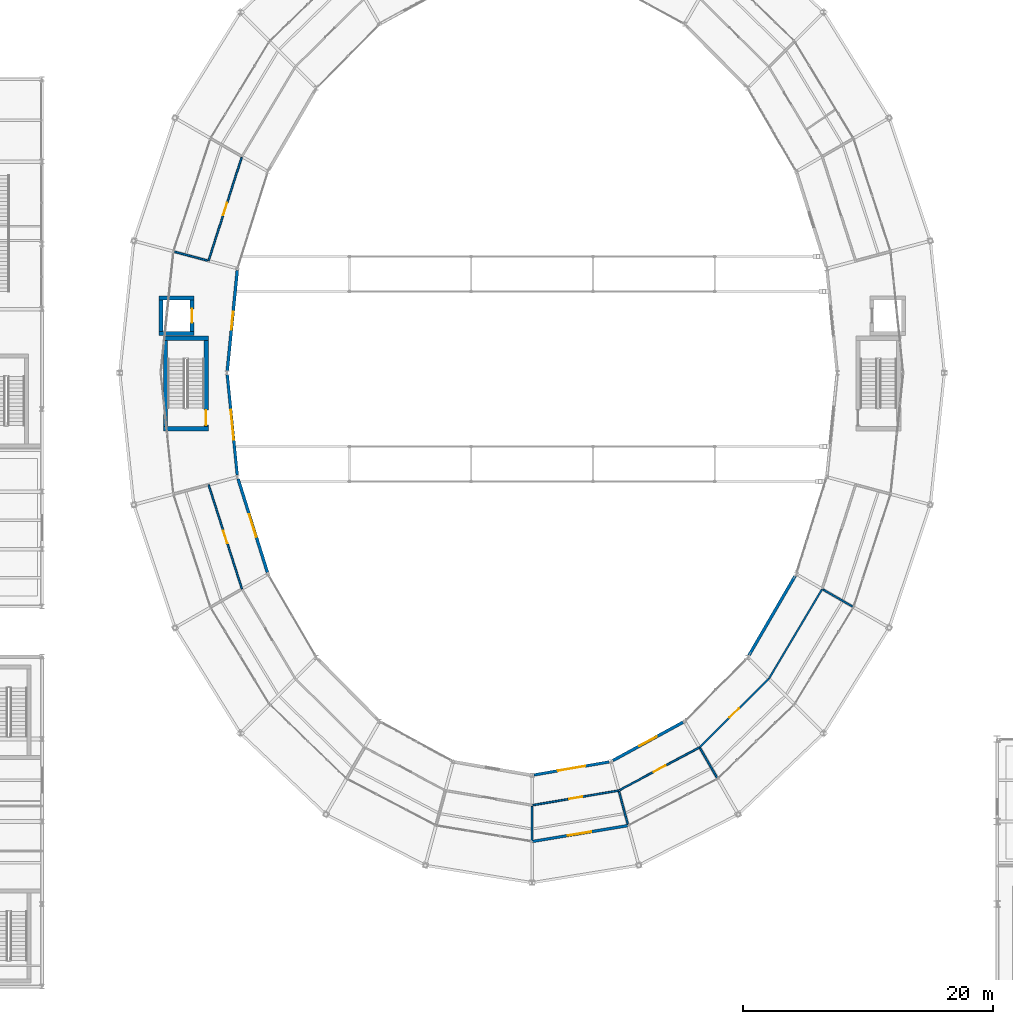
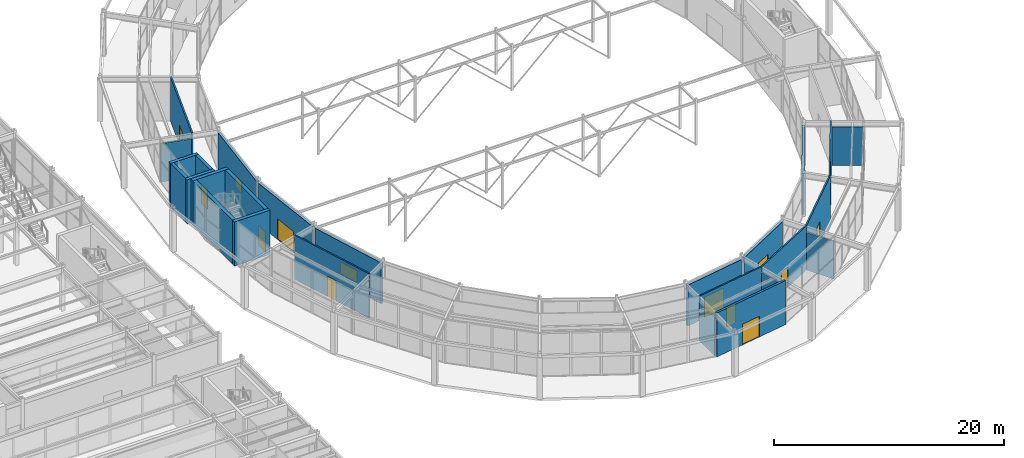
# One storey, part 123 of 144: 26 walls, 10 doors, 3 windows, 13 openings.
"""IFC4 building model written with IfcOpenShell, lengths in metres."""

from ifc_helpers import new_model, si_unit, direction, frame, frame_2d, origin, place, context, subcontext, project, spatial, rectangle, extrude, material, layer, layer_set, type_object, element, fill, save


model = new_model("IFC4")

# Units and contexts
model_context = context("Model", 3, precision=1e-05, world=origin(), true_north=direction((0.0, 1.0)))
body_context = subcontext(model_context, "Body", "Model", "MODEL_VIEW")
ifc_project = project(units=[si_unit("LENGTHUNIT", "METRE"), si_unit("AREAUNIT", "SQUARE_METRE"), si_unit("VOLUMEUNIT", "CUBIC_METRE"), si_unit("PLANEANGLEUNIT", "RADIAN"), si_unit("MASSUNIT", "GRAM", prefix="KILO")], contexts=[model_context])

# Site, building, storey
site_placement = place(None, origin())
site = spatial("IfcSite", under=ifc_project, at=site_placement, CompositionType="ELEMENT")
building_placement = place(site_placement, origin())
building = spatial("IfcBuilding", under=site, at=building_placement, Name="Karori Crest Natural Sciences Institute", CompositionType="ELEMENT")
storey_placement = place(building_placement, origin())
storey = spatial("IfcBuildingStorey", under=building, at=storey_placement, Name="L00", CompositionType="ELEMENT", Elevation=0.0)

# Walls
ifc_material_1 = material(Name="Concrete 50 MPa", Category="concrete")
ifc_layer_1 = layer(ifc_material_1, 0.35009765625, Name="Concrete 50 MPa")
ifc_layer_set_1 = layer_set([ifc_layer_1], Name="Concrete 50 MPa")
wall_type_1 = type_object("IfcWallType", Name="IWT-02", PredefinedType="SHEAR", material=ifc_layer_set_1)
for number, where, z_axis, x_axis, name in (
    (1, (36.89990234375, 45.425048828125, 0.0), (0.0, 0.0, 1.0), (1.0, 0.0, 0.0), "Shear wall IW-0041"),
    (2, (36.89990234375, 52.675048828125, 0.0), (0.0, 0.0, 1.0), (1.0, 0.0, 0.0), "Shear wall IW-0042"),
):
    element("IfcWall", number, at=place(storey_placement, frame(where, z_axis=z_axis, x_axis=x_axis)), inside=storey, type_object=wall_type_1, Name=name, PredefinedType="SHEAR", context=body_context, shape_type="SweptSolid", body=[
        extrude(rectangle(XDim=3.60009765625, YDim=0.35009765625, at=frame_2d((1.800048828125, 0.0))), origin(), (0.0, 0.0, 1.0), 4.699951171875),
    ])
wall_1_placement = place(storey_placement, frame((37.074951171875, 45.60205078125, 0.0), z_axis=(0.0, 0.0, 1.0), x_axis=(0.0, 1.0, 0.0)))
element("IfcWall", 3, at=wall_1_placement, inside=storey, type_object=wall_type_1, Name="Shear wall IW-0043", PredefinedType="SHEAR", context=body_context, shape_type="SweptSolid", body=[
    extrude(rectangle(XDim=6.89599609375, YDim=0.35009765625, at=frame_2d((3.447998046875, 0.0))), origin(), (0.0, 0.0, 1.0), 4.699951171875),
])

# Wall, opening, door
wall_2_placement = place(storey_placement, frame((40.324951171875, 45.60205078125, 0.0), z_axis=(0.0, 0.0, 1.0), x_axis=(0.0, 1.0, 0.0)))
wall_2 = element("IfcWall", 4, at=wall_2_placement, inside=storey, type_object=wall_type_1, Name="Shear wall IW-0044", PredefinedType="SHEAR", context=body_context, shape_type="SweptSolid", body=[
    extrude(rectangle(XDim=6.89599609375, YDim=0.35009765625, at=frame_2d((3.447998046875, 0.0))), origin(), (0.0, 0.0, 1.0), 4.699951171875),
])
opening_1_placement = place(wall_2_placement, frame((0.1201171875, 0.0, 0.0)))
opening_1 = element("IfcOpeningElement", 5, at=opening_1_placement, cuts=wall_2, Name="Opening ID-0011", PredefinedType="OPENING", context=body_context, shape_type="SweptSolid", body=[
    extrude(rectangle(XDim=1.199951171875, YDim=2.14990234375, at=frame_2d((0.60009765625, 1.074951171875))), frame((0.0, 0.18505859375, 0.0), z_axis=(0.0, -1.0, 0.0), x_axis=(1.0, 0.0, 0.0)), (0.0, 0.0, 1.0), 0.3701171875),
])
ifc_material_2 = material(Name="Stainless steel 316 and fire-rated timber", Category="steel")
door_type_1 = type_object("IfcDoorType", Name="IDT-01", OperationType="NOTDEFINED", PredefinedType="DOOR", material=ifc_material_2)
door_1_placement = place(opening_1_placement, origin())
door_1 = element("IfcDoor", 6, at=door_1_placement, inside=storey, type_object=door_type_1, Name="Stair ST-02 fire door ID-0011", OperationType="SINGLE_SWING_LEFT", OverallHeight=2.14990234375, OverallWidth=1.199951171875, PredefinedType="DOOR", context=body_context, shape_type="SweptSolid", body=[
    extrude(rectangle(XDim=1.199951171875, YDim=2.14990234375, at=frame_2d((0.60009765625, 1.074951171875))), frame((0.0, 0.02490234375, 0.0), z_axis=(0.0, -1.0, 0.0), x_axis=(1.0, 0.0, 0.0)), (0.0, 0.0, 1.0), 0.050048828125),
])
fill(opening_1, door_1)

# Walls
ifc_layer_2 = layer(ifc_material_1, 0.320068359375, Name="Concrete 50 MPa")
ifc_layer_set_2 = layer_set([ifc_layer_2], Name="Concrete 50 MPa")
wall_type_2 = type_object("IfcWallType", Name="IWT-03", PredefinedType="SHEAR", material=ifc_layer_set_2)
for number, where, z_axis, x_axis, name in (
    (7, (36.544921875, 53.030029296875, 0.0), (0.0, 0.0, 1.0), (1.0, 0.0, 0.0), "Shear wall IW-0441"),
    (8, (36.544921875, 55.89501953125, 0.0), (0.0, 0.0, 1.0), (1.0, 0.0, 0.0), "Shear wall IW-0442"),
):
    element("IfcWall", number, at=place(storey_placement, frame(where, z_axis=z_axis, x_axis=x_axis)), inside=storey, type_object=wall_type_2, Name=name, PredefinedType="SHEAR", context=body_context, shape_type="SweptSolid", body=[
        extrude(rectangle(XDim=2.81005859375, YDim=0.320068359375, at=frame_2d((1.405029296875, 0.0))), origin(), (0.0, 0.0, 1.0), 4.699951171875),
    ])
wall_3_placement = place(storey_placement, frame((36.705078125, 53.19189453125, 0.0), z_axis=(0.0, 0.0, 1.0), x_axis=(0.0, 1.0, 0.0)))
element("IfcWall", 9, at=wall_3_placement, inside=storey, type_object=wall_type_2, Name="Shear wall IW-0443", PredefinedType="SHEAR", context=body_context, shape_type="SweptSolid", body=[
    extrude(rectangle(XDim=2.541015625, YDim=0.320068359375, at=frame_2d((1.2705078125, 0.0))), origin(), (0.0, 0.0, 1.0), 4.699951171875),
])

# Wall, opening, door
wall_4_placement = place(storey_placement, frame((39.195068359375, 53.19189453125, 0.0), z_axis=(0.0, 0.0, 1.0), x_axis=(0.0, 1.0, 0.0)))
wall_4 = element("IfcWall", 10, at=wall_4_placement, inside=storey, type_object=wall_type_2, Name="Shear wall IW-0444", PredefinedType="SHEAR", context=body_context, shape_type="SweptSolid", body=[
    extrude(rectangle(XDim=2.541015625, YDim=0.320068359375, at=frame_2d((1.2705078125, 0.0))), origin(), (0.0, 0.0, 1.0), 4.699951171875),
])
opening_2_placement = place(wall_4_placement, frame((0.720458984375, 0.0, 0.0)))
opening_2 = element("IfcOpeningElement", 11, at=opening_2_placement, cuts=wall_4, Name="Opening LD-0035", PredefinedType="OPENING", context=body_context, shape_type="SweptSolid", body=[
    extrude(rectangle(XDim=1.10009765625, YDim=2.14990234375, at=frame_2d((0.550048828125, 1.074951171875))), frame((0.0, 0.169921875, 0.0), z_axis=(0.0, -1.0, 0.0), x_axis=(1.0, 0.0, 0.0)), (0.0, 0.0, 1.0), 0.340087890625),
])
door_type_2 = type_object("IfcDoorType", Name="LDT-01", OperationType="SLIDING_TO_LEFT", PredefinedType="DOOR", material=ifc_material_2)
door_2_placement = place(opening_2_placement, origin())
door_2 = element("IfcDoor", 12, at=door_2_placement, inside=storey, type_object=door_type_2, Name="Lift LP-02 landing door LD-0035", OperationType="SLIDING_TO_LEFT", OverallHeight=2.14990234375, OverallWidth=1.10009765625, PredefinedType="DOOR", context=body_context, shape_type="SweptSolid", body=[
    extrude(rectangle(XDim=1.10009765625, YDim=2.14990234375, at=frame_2d((0.550048828125, 1.074951171875))), frame((0.0, 0.02490234375, 0.0), z_axis=(0.0, -1.0, 0.0), x_axis=(1.0, 0.0, 0.0)), (0.0, 0.0, 1.0), 0.050048828125),
])
fill(opening_2, door_2)

ifc_material_3 = material(Name="Laboratory acoustic drywall partition")
ifc_layer_3 = layer(ifc_material_3, 0.139892578125, Name="Laboratory acoustic drywall partition")
ifc_layer_set_3 = layer_set([ifc_layer_3], Name="Laboratory acoustic drywall partition")
wall_type_3 = type_object("IfcWallType", Name="IWT-07", PredefinedType="PARTITIONING", material=ifc_layer_set_3)
wall_5_placement = place(storey_placement, frame((43.16796875, 67.1298828125, 0.0), z_axis=(0.0, 0.0, 1.0), x_axis=(-0.305487150125, -0.952196198852, 0.0)))
wall_5 = element("IfcWall", 13, at=wall_5_placement, inside=storey, type_object=wall_type_3, Name="Partition wall IW-1188", PredefinedType="PARTITIONING", context=body_context, shape_type="SweptSolid", body=[
    extrude(rectangle(XDim=8.6904296875, YDim=0.139892578125, at=frame_2d((4.34521484375, 0.0))), origin(), (0.0, 0.0, 1.0), 4.699951171875),
])
opening_3_placement = place(wall_5_placement, frame((3.820068359375, 0.0, 0.0)))
opening_3 = element("IfcOpeningElement", 14, at=opening_3_placement, cuts=wall_5, Name="Opening ID-0357", PredefinedType="OPENING", context=body_context, shape_type="SweptSolid", body=[
    extrude(rectangle(XDim=1.050048828125, YDim=2.14990234375, at=frame_2d((0.52490234375, 1.074951171875))), frame((0.0, 0.080078125, 0.0), z_axis=(0.0, -1.0, 0.0), x_axis=(1.0, 0.0, 0.0)), (0.0, 0.0, 1.0), 0.159912109375),
])
door_type_3 = type_object("IfcDoorType", Name="IDT-03", OperationType="NOTDEFINED", PredefinedType="DOOR", material=ifc_material_2)
door_3_placement = place(opening_3_placement, origin())
door_3 = element("IfcDoor", 15, at=door_3_placement, inside=storey, type_object=door_type_3, Name="Molecular Ecology Wet Laboratory door ID-0357", OperationType="SINGLE_SWING_LEFT", OverallHeight=2.14990234375, OverallWidth=1.050048828125, PredefinedType="DOOR", context=body_context, shape_type="SweptSolid", body=[
    extrude(rectangle(XDim=1.050048828125, YDim=2.14990234375, at=frame_2d((0.52490234375, 1.074951171875))), frame((0.0, 0.02490234375, 0.0), z_axis=(0.0, -1.0, 0.0), x_axis=(1.0, 0.0, 0.0)), (0.0, 0.0, 1.0), 0.050048828125),
])
fill(opening_3, door_3)

# Wall
wall_6_placement = place(storey_placement, frame((40.435791015625, 58.875732421875, 0.0), z_axis=(0.0, 0.0, 1.0), x_axis=(-0.965920014783, 0.258840732966, 0.0)))
element("IfcWall", 16, at=wall_6_placement, inside=storey, type_object=wall_type_3, Name="Partition wall IW-1189", PredefinedType="PARTITIONING", context=body_context, shape_type="SweptSolid", body=[
    extrude(rectangle(XDim=2.759765625, YDim=0.139892578125, at=frame_2d((1.3798828125, 0.0))), origin(), (0.0, 0.0, 1.0), 4.092041015625),
])

# Wall, opening, door
wall_7_placement = place(storey_placement, frame((40.51318359375, 40.94482421875, 0.0), z_axis=(0.0, 0.0, 1.0), x_axis=(0.305493323507, -0.952194218263, 0.0)))
wall_7 = element("IfcWall", 17, at=wall_7_placement, inside=storey, type_object=wall_type_3, Name="Partition wall IW-1190", PredefinedType="PARTITIONING", context=body_context, shape_type="SweptSolid", body=[
    extrude(rectangle(XDim=8.763671875, YDim=0.139892578125, at=frame_2d((4.3818359375, 0.0))), origin(), (0.0, 0.0, 1.0), 4.699951171875),
])
opening_4_placement = place(wall_7_placement, frame((3.85693359375, 0.0, 0.0)))
opening_4 = element("IfcOpeningElement", 18, at=opening_4_placement, cuts=wall_7, Name="Opening ID-0358", PredefinedType="OPENING", context=body_context, shape_type="SweptSolid", body=[
    extrude(rectangle(XDim=1.050048828125, YDim=2.14990234375, at=frame_2d((0.52490234375, 1.074951171875))), frame((0.0, 0.080078125, 0.0), z_axis=(0.0, -1.0, 0.0), x_axis=(1.0, 0.0, 0.0)), (0.0, 0.0, 1.0), 0.159912109375),
])
door_4_placement = place(opening_4_placement, origin())
door_4 = element("IfcDoor", 19, at=door_4_placement, inside=storey, type_object=door_type_3, Name="Atmospheric Physics Laboratory door ID-0358", OperationType="SINGLE_SWING_RIGHT", OverallHeight=2.14990234375, OverallWidth=1.050048828125, PredefinedType="DOOR", context=body_context, shape_type="SweptSolid", body=[
    extrude(rectangle(XDim=1.050048828125, YDim=2.14990234375, at=frame_2d((0.52490234375, 1.074951171875))), frame((0.0, 0.02490234375, 0.0), z_axis=(0.0, -1.0, 0.0), x_axis=(1.0, 0.0, 0.0)), (0.0, 0.0, 1.0), 0.050048828125),
])
fill(opening_4, door_4)

# Wall
wall_8_placement = place(storey_placement, frame((66.39990234375, 15.219970703125, 0.0), z_axis=(0.0, 0.0, 1.0), x_axis=(0.0, -1.0, 0.0)))
element("IfcWall", 20, at=wall_8_placement, inside=storey, type_object=wall_type_3, Name="Partition wall IW-1199", PredefinedType="PARTITIONING", context=body_context, shape_type="SweptSolid", body=[
    extrude(rectangle(XDim=2.760009765625, YDim=0.139892578125, at=frame_2d((1.3798828125, 0.0))), origin(), (0.0, 0.0, 1.0), 4.092041015625),
])

# Wall, opening, door
wall_9_placement = place(storey_placement, frame((66.471923828125, 15.312255859375, 0.0), z_axis=(0.0, 0.0, 1.0), x_axis=(0.985861002198, 0.167565164474, 0.0)))
wall_9 = element("IfcWall", 21, at=wall_9_placement, inside=storey, type_object=wall_type_3, Name="Partition wall IW-1200", PredefinedType="PARTITIONING", context=body_context, shape_type="SweptSolid", body=[
    extrude(rectangle(XDim=6.962890625, YDim=0.139892578125, at=frame_2d((3.4814453125, 0.0))), origin(), (0.0, 0.0, 1.0), 4.699951171875),
])
opening_5_placement = place(wall_9_placement, frame((2.956298828125, 0.0, 0.0)))
opening_5 = element("IfcOpeningElement", 22, at=opening_5_placement, cuts=wall_9, Name="Opening ID-0362", PredefinedType="OPENING", context=body_context, shape_type="SweptSolid", body=[
    extrude(rectangle(XDim=1.050048828125, YDim=2.14990234375, at=frame_2d((0.52490234375, 1.074951171875))), frame((0.0, 0.080078125, 0.0), z_axis=(0.0, -1.0, 0.0), x_axis=(1.0, 0.0, 0.0)), (0.0, 0.0, 1.0), 0.159912109375),
])
door_5_placement = place(opening_5_placement, origin())
door_5 = element("IfcDoor", 23, at=door_5_placement, inside=storey, type_object=door_type_3, Name="Paleoclimate Core Analysis Laboratory door ID-0362", OperationType="SINGLE_SWING_RIGHT", OverallHeight=2.14990234375, OverallWidth=1.050048828125, PredefinedType="DOOR", context=body_context, shape_type="SweptSolid", body=[
    extrude(rectangle(XDim=1.050048828125, YDim=2.14990234375, at=frame_2d((0.52490234375, 1.074951171875))), frame((0.0, 0.02490234375, 0.0), z_axis=(0.0, -1.0, 0.0), x_axis=(1.0, 0.0, 0.0)), (0.0, 0.0, 1.0), 0.050048828125),
])
fill(opening_5, door_5)

# Wall
wall_10_placement = place(storey_placement, frame((73.357177734375, 16.401611328125, 0.0), z_axis=(0.0, 0.0, 1.0), x_axis=(0.25881872536, -0.965925911964, 0.0)))
element("IfcWall", 24, at=wall_10_placement, inside=storey, type_object=wall_type_3, Name="Partition wall IW-1201", PredefinedType="PARTITIONING", context=body_context, shape_type="SweptSolid", body=[
    extrude(rectangle(XDim=2.707275390625, YDim=0.139892578125, at=frame_2d((1.353515625, 0.0))), origin(), (0.0, 0.0, 1.0), 4.092041015625),
])

# Wall, opening, door
wall_11_placement = place(storey_placement, frame((73.401611328125, 16.513916015625, 0.0), z_axis=(0.0, 0.0, 1.0), x_axis=(0.881829873621, 0.471567676999, 0.0)))
wall_11 = element("IfcWall", 25, at=wall_11_placement, inside=storey, type_object=wall_type_3, Name="Partition wall IW-1202", PredefinedType="PARTITIONING", context=body_context, shape_type="SweptSolid", body=[
    extrude(rectangle(XDim=7.255859375, YDim=0.139892578125, at=frame_2d((3.6279296875, 0.0))), origin(), (0.0, 0.0, 1.0), 4.699951171875),
])
opening_6_placement = place(wall_11_placement, frame((3.10302734375, 0.0, 0.0)))
opening_6 = element("IfcOpeningElement", 26, at=opening_6_placement, cuts=wall_11, Name="Opening ID-0363", PredefinedType="OPENING", context=body_context, shape_type="SweptSolid", body=[
    extrude(rectangle(XDim=1.050048828125, YDim=2.14990234375, at=frame_2d((0.52490234375, 1.074951171875))), frame((0.0, 0.080078125, 0.0), z_axis=(0.0, -1.0, 0.0), x_axis=(1.0, 0.0, 0.0)), (0.0, 0.0, 1.0), 0.159912109375),
])
door_6_placement = place(opening_6_placement, origin())
door_6 = element("IfcDoor", 27, at=door_6_placement, inside=storey, type_object=door_type_3, Name="Dry Optics Physics Laboratory door ID-0363", OperationType="SINGLE_SWING_LEFT", OverallHeight=2.14990234375, OverallWidth=1.050048828125, PredefinedType="DOOR", context=body_context, shape_type="SweptSolid", body=[
    extrude(rectangle(XDim=1.050048828125, YDim=2.14990234375, at=frame_2d((0.52490234375, 1.074951171875))), frame((0.0, 0.02490234375, 0.0), z_axis=(0.0, -1.0, 0.0), x_axis=(1.0, 0.0, 0.0)), (0.0, 0.0, 1.0), 0.050048828125),
])
fill(opening_6, door_6)

# Wall
wall_12_placement = place(storey_placement, frame((79.840087890625, 19.8662109375, 0.0), z_axis=(0.0, 0.0, 1.0), x_axis=(0.499982807329, -0.86603532975, 0.0)))
element("IfcWall", 28, at=wall_12_placement, inside=storey, type_object=wall_type_3, Name="Partition wall IW-1203", PredefinedType="PARTITIONING", context=body_context, shape_type="SweptSolid", body=[
    extrude(rectangle(XDim=2.759765625, YDim=0.139892578125, at=frame_2d((1.3798828125, 0.0))), origin(), (0.0, 0.0, 1.0), 4.012939453125),
])

# Wall, opening, door
wall_13_placement = place(storey_placement, frame((79.801513671875, 19.93701171875, 0.0), z_axis=(0.0, 0.0, 1.0), x_axis=(0.710427757183, 0.703770134222, 0.0)))
wall_13 = element("IfcWall", 29, at=wall_13_placement, inside=storey, type_object=wall_type_3, Name="Partition wall IW-1204", PredefinedType="PARTITIONING", context=body_context, shape_type="SweptSolid", body=[
    extrude(rectangle(XDim=7.810791015625, YDim=0.139892578125, at=frame_2d((3.9052734375, 0.0))), origin(), (0.0, 0.0, 1.0), 4.699951171875),
])
opening_7_placement = place(wall_13_placement, frame((3.380615234375, 0.0, 0.0)))
opening_7 = element("IfcOpeningElement", 30, at=opening_7_placement, cuts=wall_13, Name="Opening ID-0364", PredefinedType="OPENING", context=body_context, shape_type="SweptSolid", body=[
    extrude(rectangle(XDim=1.050048828125, YDim=2.14990234375, at=frame_2d((0.52490234375, 1.074951171875))), frame((0.0, 0.080078125, 0.0), z_axis=(0.0, -1.0, 0.0), x_axis=(1.0, 0.0, 0.0)), (0.0, 0.0, 1.0), 0.159912109375),
])
door_7_placement = place(opening_7_placement, origin())
door_7 = element("IfcDoor", 31, at=door_7_placement, inside=storey, type_object=door_type_3, Name="Marine Ecology Dry Laboratory door ID-0364", OperationType="SINGLE_SWING_RIGHT", OverallHeight=2.14990234375, OverallWidth=1.050048828125, PredefinedType="DOOR", context=body_context, shape_type="SweptSolid", body=[
    extrude(rectangle(XDim=1.050048828125, YDim=2.14990234375, at=frame_2d((0.52490234375, 1.074951171875))), frame((0.0, 0.02490234375, 0.0), z_axis=(0.0, -1.0, 0.0), x_axis=(1.0, 0.0, 0.0)), (0.0, 0.0, 1.0), 0.050048828125),
])
fill(opening_7, door_7)

# Walls
wall_14_placement = place(storey_placement, frame((85.3515625, 25.435791015625, 0.0), z_axis=(0.0, 0.0, 1.0), x_axis=(0.510915698067, 0.859630821614, 0.0)))
element("IfcWall", 32, at=wall_14_placement, inside=storey, type_object=wall_type_3, Name="Partition wall IW-1205", PredefinedType="PARTITIONING", context=body_context, shape_type="SweptSolid", body=[
    extrude(rectangle(XDim=8.334228515625, YDim=0.139892578125, at=frame_2d((4.1669921875, 0.0))), origin(), (0.0, 0.0, 1.0), 4.699951171875),
])
wall_15_placement = place(storey_placement, frame((89.6787109375, 32.56005859375, 0.0), z_axis=(0.0, 0.0, 1.0), x_axis=(0.866019141083, -0.50001084716, 0.0)))
element("IfcWall", 33, at=wall_15_placement, inside=storey, type_object=wall_type_3, Name="Partition wall IW-1206", PredefinedType="PARTITIONING", context=body_context, shape_type="SweptSolid", body=[
    extrude(rectangle(XDim=2.76025390625, YDim=0.139892578125, at=frame_2d((1.380126953125, 0.0))), origin(), (0.0, 0.0, 1.0), 4.092041015625),
])

# Wall, opening, window
ifc_material_4 = material(Name="Precast concrete 40 MPa", Category="concrete")
ifc_layer_4 = layer(ifc_material_4, 0.239990234375, Name="Precast concrete 40 MPa")
ifc_layer_set_4 = layer_set([ifc_layer_4], Name="Precast concrete 40 MPa")
wall_type_4 = type_object("IfcWallType", Name="WT-04", PredefinedType="SOLIDWALL", material=ifc_layer_set_4)
wall_16_placement = place(storey_placement, frame((42.818115234375, 58.10009765625, 0.0), z_axis=(0.0, 0.0, 1.0), x_axis=(-0.099291432912, -0.99505839595, 0.0)))
wall_16 = element("IfcWall", 34, at=wall_16_placement, inside=storey, type_object=wall_type_4, Name="Exterior wall EW-0027", PredefinedType="SOLIDWALL", context=body_context, shape_type="SweptSolid", body=[
    extrude(rectangle(XDim=8.084716796875, YDim=0.239990234375, at=frame_2d((4.04248046875, 0.0))), origin(), (0.0, 0.0, 1.0), 4.35009765625),
])
opening_8_placement = place(wall_16_placement, frame((3.3173828125, 0.0, 0.85009765625)))
opening_8 = element("IfcOpeningElement", 35, at=opening_8_placement, cuts=wall_16, Name="Opening WN-0004", PredefinedType="OPENING", context=body_context, shape_type="SweptSolid", body=[
    extrude(rectangle(XDim=1.449951171875, YDim=1.25, at=frame_2d((0.72509765625, 0.625))), frame((0.0, 0.1298828125, 0.0), z_axis=(0.0, -1.0, 0.0), x_axis=(1.0, 0.0, 0.0)), (0.0, 0.0, 1.0), 0.260009765625),
])
ifc_material_5 = material(Name="Double low-E laminated glass", Category="glass")
window_type_1 = type_object("IfcWindowType", Name="WNT-12", PartitioningType="SINGLE_PANEL", PredefinedType="WINDOW", material=ifc_material_5)
window_1_placement = place(opening_8_placement, origin())
window_1 = element("IfcWindow", 36, at=window_1_placement, inside=storey, type_object=window_type_1, Name="Window WN-0004", OverallHeight=1.25, OverallWidth=1.449951171875, PartitioningType="SINGLE_PANEL", PredefinedType="WINDOW", context=body_context, shape_type="SweptSolid", body=[
    extrude(rectangle(XDim=1.449951171875, YDim=1.25, at=frame_2d((0.72509765625, 0.625))), frame((0.0, 0.030029296875, 0.0), z_axis=(0.0, -1.0, 0.0), x_axis=(1.0, 0.0, 0.0)), (0.0, 0.0, 1.0), 0.06005859375),
])
fill(opening_8, window_1)

wall_17_placement = place(storey_placement, frame((42.879150390625, 41.413818359375, 0.0), z_axis=(0.0, 0.0, 1.0), x_axis=(0.299477830639, -0.954103259064, 0.0)))
wall_17 = element("IfcWall", 37, at=wall_17_placement, inside=storey, type_object=wall_type_4, Name="Exterior wall EW-0029", PredefinedType="SOLIDWALL", context=body_context, shape_type="SweptSolid", body=[
    extrude(rectangle(XDim=7.845703125, YDim=0.239990234375, at=frame_2d((3.9228515625, 0.0))), origin(), (0.0, 0.0, 1.0), 4.35009765625),
])
opening_9_placement = place(wall_17_placement, frame((2.972900390625, 0.0, 0.85009765625)))
opening_9 = element("IfcOpeningElement", 38, at=opening_9_placement, cuts=wall_17, Name="Opening WN-0005", PredefinedType="OPENING", context=body_context, shape_type="SweptSolid", body=[
    extrude(rectangle(XDim=1.89990234375, YDim=1.25, at=frame_2d((0.949951171875, 0.625))), frame((0.0, 0.1298828125, 0.0), z_axis=(0.0, -1.0, 0.0), x_axis=(1.0, 0.0, 0.0)), (0.0, 0.0, 1.0), 0.260009765625),
])
window_type_2 = type_object("IfcWindowType", Name="WNT-14", PartitioningType="SINGLE_PANEL", PredefinedType="WINDOW", material=ifc_material_5)
window_2_placement = place(opening_9_placement, origin())
window_2 = element("IfcWindow", 39, at=window_2_placement, inside=storey, type_object=window_type_2, Name="Window WN-0005", OverallHeight=1.25, OverallWidth=1.89990234375, PartitioningType="SINGLE_PANEL", PredefinedType="WINDOW", context=body_context, shape_type="SweptSolid", body=[
    extrude(rectangle(XDim=1.89990234375, YDim=1.25, at=frame_2d((0.949951171875, 0.625))), frame((0.0, 0.030029296875, 0.0), z_axis=(0.0, -1.0, 0.0), x_axis=(1.0, 0.0, 0.0)), (0.0, 0.0, 1.0), 0.06005859375),
])
fill(opening_9, window_2)

wall_18_placement = place(storey_placement, frame((72.865966796875, 18.879638671875, 0.0), z_axis=(0.0, 0.0, 1.0), x_axis=(0.877463709328, 0.479643032695, 0.0)))
wall_18 = element("IfcWall", 40, at=wall_18_placement, inside=storey, type_object=wall_type_4, Name="Exterior wall EW-0034", PredefinedType="SOLIDWALL", context=body_context, shape_type="SweptSolid", body=[
    extrude(rectangle(XDim=6.400146484375, YDim=0.239990234375, at=frame_2d((3.2001953125, 0.0))), origin(), (0.0, 0.0, 1.0), 4.35009765625),
])
opening_10_placement = place(wall_18_placement, frame((2.400146484375, 0.0, 0.85009765625)))
opening_10 = element("IfcOpeningElement", 41, at=opening_10_placement, cuts=wall_18, Name="Opening WN-0007", PredefinedType="OPENING", context=body_context, shape_type="SweptSolid", body=[
    extrude(rectangle(XDim=1.60009765625, YDim=1.5, at=frame_2d((0.800048828125, 0.75))), frame((0.0, 0.1298828125, 0.0), z_axis=(0.0, -1.0, 0.0), x_axis=(1.0, 0.0, 0.0)), (0.0, 0.0, 1.0), 0.260009765625),
])
window_type_3 = type_object("IfcWindowType", Name="WNT-20", PartitioningType="SINGLE_PANEL", PredefinedType="WINDOW", material=ifc_material_5)
window_3_placement = place(opening_10_placement, origin())
window_3 = element("IfcWindow", 42, at=window_3_placement, inside=storey, type_object=window_type_3, Name="Window WN-0007", OverallHeight=1.5, OverallWidth=1.60009765625, PartitioningType="SINGLE_PANEL", PredefinedType="WINDOW", context=body_context, shape_type="SweptSolid", body=[
    extrude(rectangle(XDim=1.60009765625, YDim=1.5, at=frame_2d((0.800048828125, 0.75))), frame((0.0, 0.030029296875, 0.0), z_axis=(0.0, -1.0, 0.0), x_axis=(1.0, 0.0, 0.0)), (0.0, 0.0, 1.0), 0.06005859375),
])
fill(opening_10, window_3)

# Wall
wall_19_placement = place(storey_placement, frame((83.743896484375, 27.287109375, 0.0), z_axis=(0.0, 0.0, 1.0), x_axis=(0.50266774775, 0.864479690549, 0.0)))
element("IfcWall", 43, at=wall_19_placement, inside=storey, type_object=wall_type_4, Name="Exterior wall EW-0035", PredefinedType="SOLIDWALL", context=body_context, shape_type="SweptSolid", body=[
    extrude(rectangle(XDim=7.357666015625, YDim=0.239990234375, at=frame_2d((3.6787109375, 0.0))), origin(), (0.0, 0.0, 1.0), 4.35009765625),
])

# Wall, opening, door
ifc_layer_5 = layer(ifc_material_4, 0.219970703125, Name="Precast concrete 40 MPa")
ifc_layer_set_5 = layer_set([ifc_layer_5], Name="Precast concrete 40 MPa")
wall_type_5 = type_object("IfcWallType", Name="WT-05", PredefinedType="SOLIDWALL", material=ifc_layer_set_5)
wall_20_placement = place(storey_placement, frame((42.015380859375, 49.744384765625, 0.0), z_axis=(0.0, 0.0, 1.0), x_axis=(0.099275964263, -0.99505993936, 0.0)))
wall_20 = element("IfcWall", 44, at=wall_20_placement, inside=storey, type_object=wall_type_5, Name="Exterior wall EW-0028", PredefinedType="SOLIDWALL", context=body_context, shape_type="SweptSolid", body=[
    extrude(rectangle(XDim=8.066162109375, YDim=0.219970703125, at=frame_2d((4.033203125, 0.0))), origin(), (0.0, 0.0, 1.0), 4.35009765625),
])
opening_11_placement = place(wall_20_placement, frame((2.833251953125, 0.0, 0.0)))
opening_11 = element("IfcOpeningElement", 45, at=opening_11_placement, cuts=wall_20, Name="Opening ED-0004", PredefinedType="OPENING", context=body_context, shape_type="SweptSolid", body=[
    extrude(rectangle(XDim=2.39990234375, YDim=2.199951171875, at=frame_2d((1.199951171875, 1.10009765625))), frame((0.0, 0.1201171875, 0.0), z_axis=(0.0, -1.0, 0.0), x_axis=(1.0, 0.0, 0.0)), (0.0, 0.0, 1.0), 0.239990234375),
])
ifc_material_6 = material(Name="Anodised architectural aluminium 6063-T6", Category="aluminium")
door_type_4 = type_object("IfcDoorType", Name="EDT-07", OperationType="DOUBLE_DOOR_SINGLE_SWING", PredefinedType="GATE", material=ifc_material_6)
door_8_placement = place(opening_11_placement, origin())
door_8 = element("IfcDoor", 46, at=door_8_placement, inside=storey, type_object=door_type_4, Name="Courtyard security gate ED-0004", OperationType="DOUBLE_DOOR_SINGLE_SWING", OverallHeight=2.199951171875, OverallWidth=2.39990234375, PredefinedType="GATE", context=body_context, shape_type="SweptSolid", body=[
    extrude(rectangle(XDim=2.39990234375, YDim=2.199951171875, at=frame_2d((1.199951171875, 1.10009765625))), frame((0.0, 0.02490234375, 0.0), z_axis=(0.0, -1.0, 0.0), x_axis=(1.0, 0.0, 0.0)), (0.0, 0.0, 1.0), 0.050048828125),
])
fill(opening_11, door_8)

wall_21_placement = place(storey_placement, frame((74.072021484375, 13.67529296875, 0.0), z_axis=(0.0, 0.0, 1.0), x_axis=(-0.98646693143, -0.163960340312, 0.0)))
wall_21 = element("IfcWall", 47, at=wall_21_placement, inside=storey, type_object=wall_type_5, Name="Exterior wall EW-0032", PredefinedType="SOLIDWALL", context=body_context, shape_type="SweptSolid", body=[
    extrude(rectangle(XDim=7.76220703125, YDim=0.219970703125, at=frame_2d((3.881103515625, 0.0))), origin(), (0.0, 0.0, 1.0), 4.679931640625),
])
opening_12_placement = place(wall_21_placement, frame((2.981201171875, 0.0, 0.0)))
opening_12 = element("IfcOpeningElement", 48, at=opening_12_placement, cuts=wall_21, Name="Opening ED-0005", PredefinedType="OPENING", context=body_context, shape_type="SweptSolid", body=[
    extrude(rectangle(XDim=1.89990234375, YDim=2.199951171875, at=frame_2d((0.949951171875, 1.10009765625))), frame((0.0, 0.1201171875, 0.0), z_axis=(0.0, -1.0, 0.0), x_axis=(1.0, 0.0, 0.0)), (0.0, 0.0, 1.0), 0.239990234375),
])
door_type_5 = type_object("IfcDoorType", Name="EDT-11", OperationType="DOUBLE_DOOR_SINGLE_SWING", PredefinedType="DOOR", material=ifc_material_6)
door_9_placement = place(opening_12_placement, origin())
door_9 = element("IfcDoor", 49, at=door_9_placement, inside=storey, type_object=door_type_5, Name="Colonnade entrance door ED-0005", OperationType="DOUBLE_DOOR_SINGLE_SWING", OverallHeight=2.199951171875, OverallWidth=1.89990234375, PredefinedType="DOOR", context=body_context, shape_type="SweptSolid", body=[
    extrude(rectangle(XDim=1.89990234375, YDim=2.199951171875, at=frame_2d((0.949951171875, 1.10009765625))), frame((0.0, 0.02490234375, 0.0), z_axis=(0.0, -1.0, 0.0), x_axis=(1.0, 0.0, 0.0)), (0.0, 0.0, 1.0), 0.050048828125),
])
fill(opening_12, door_9)

wall_22_placement = place(storey_placement, frame((66.551513671875, 17.726318359375, 0.0), z_axis=(0.0, 0.0, 1.0), x_axis=(0.985241979296, 0.171167293114, 0.0)))
wall_22 = element("IfcWall", 50, at=wall_22_placement, inside=storey, type_object=wall_type_5, Name="Exterior wall EW-0033", PredefinedType="SOLIDWALL", context=body_context, shape_type="SweptSolid", body=[
    extrude(rectangle(XDim=6.103271484375, YDim=0.219970703125, at=frame_2d((3.0517578125, 0.0))), origin(), (0.0, 0.0, 1.0), 4.35009765625),
])
opening_13_placement = place(wall_22_placement, frame((1.95166015625, 0.0, 0.0)))
opening_13 = element("IfcOpeningElement", 51, at=opening_13_placement, cuts=wall_22, Name="Opening ED-0006", PredefinedType="OPENING", context=body_context, shape_type="SweptSolid", body=[
    extrude(rectangle(XDim=2.199951171875, YDim=2.14990234375, at=frame_2d((1.10009765625, 1.074951171875))), frame((0.0, 0.1201171875, 0.0), z_axis=(0.0, -1.0, 0.0), x_axis=(1.0, 0.0, 0.0)), (0.0, 0.0, 1.0), 0.239990234375),
])
door_type_6 = type_object("IfcDoorType", Name="EDT-12", OperationType="DOUBLE_DOOR_SINGLE_SWING", PredefinedType="GATE", material=ifc_material_6)
door_10_placement = place(opening_13_placement, origin())
door_10 = element("IfcDoor", 52, at=door_10_placement, inside=storey, type_object=door_type_6, Name="Courtyard security gate ED-0006", OperationType="DOUBLE_DOOR_SINGLE_SWING", OverallHeight=2.14990234375, OverallWidth=2.199951171875, PredefinedType="GATE", context=body_context, shape_type="SweptSolid", body=[
    extrude(rectangle(XDim=2.199951171875, YDim=2.14990234375, at=frame_2d((1.10009765625, 1.074951171875))), frame((0.0, 0.02490234375, 0.0), z_axis=(0.0, -1.0, 0.0), x_axis=(1.0, 0.0, 0.0)), (0.0, 0.0, 1.0), 0.050048828125),
])
fill(opening_13, door_10)

save(model, "model.ifc")
